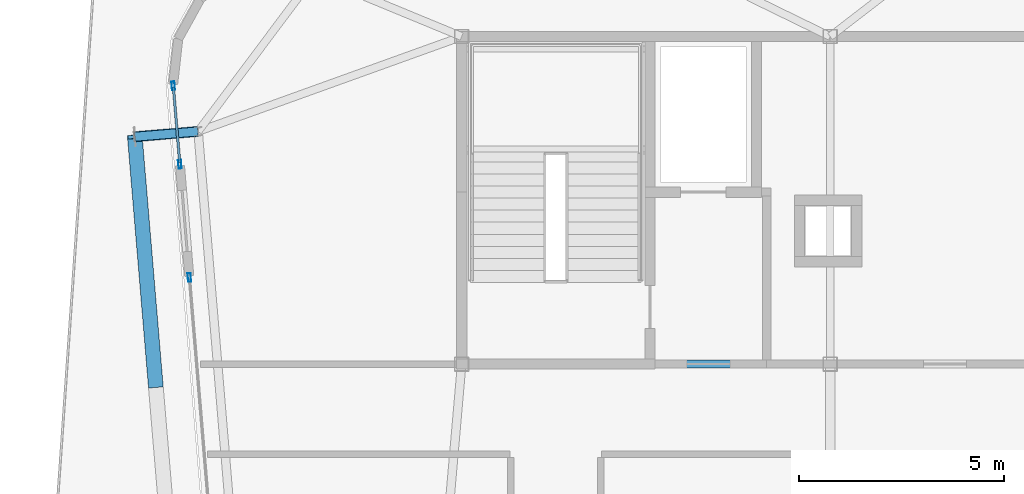
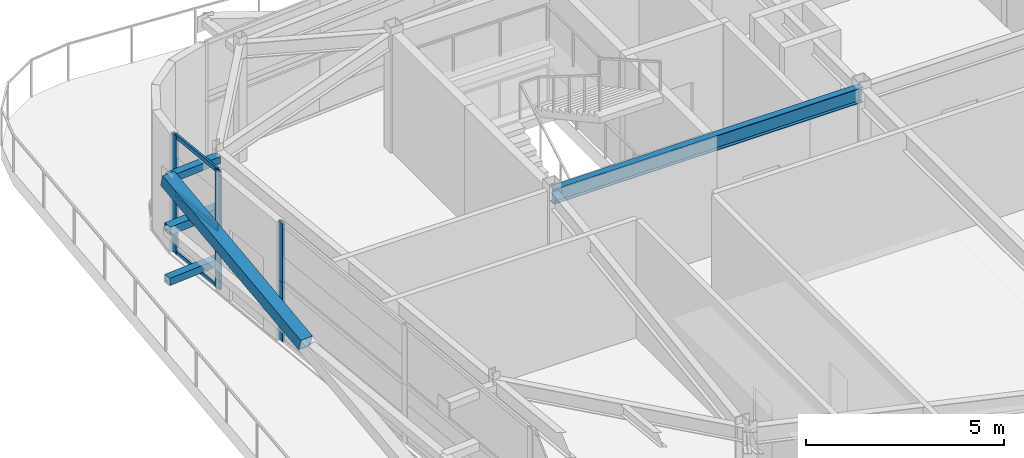
# One storey, part 12 of 38: 14 members, 1 beam, 4 elements without a shape of their own.
"""IFC4 building model written with IfcOpenShell, lengths in metres."""

from ifc_helpers import new_model, si_unit, direction, frame, origin, origin_2d, place, context, subcontext, project, spatial, hollow_rectangle, i_section, extrude, source, transform, mapped, material, layer, layer_set, material_profile, profile_set, type_object, element, aggregate, save


model = new_model("IFC4")

# Units and contexts
model_context = context("Model", 3, precision=1e-05, world=origin(), true_north=direction((0.0, 1.0)))
body_context = subcontext(model_context, "Body", "Model", "MODEL_VIEW")
ifc_project = project(units=[si_unit("LENGTHUNIT", "METRE"), si_unit("AREAUNIT", "SQUARE_METRE"), si_unit("VOLUMEUNIT", "CUBIC_METRE"), si_unit("PLANEANGLEUNIT", "RADIAN"), si_unit("MASSUNIT", "GRAM", prefix="KILO")], contexts=[model_context])

# Site, building, storey
site_placement = place(None, origin())
site = spatial("IfcSite", under=ifc_project, at=site_placement, CompositionType="ELEMENT")
building_placement = place(site_placement, origin())
building = spatial("IfcBuilding", under=site, at=building_placement, Name="Taldren Reach Tower", CompositionType="ELEMENT")
storey_placement = place(building_placement, frame((0.0, 0.0, 168.699951171875)))
storey = spatial("IfcBuildingStorey", under=building, at=storey_placement, Name="L51", CompositionType="ELEMENT", Elevation=168.699951171875)

# Beam
ifc_material_1 = material(Name="Steel Gr 350 (350PLUS)", Category="steel")
ifc_material_profile_1 = material_profile(ifc_material_1, i_section(OverallWidth=0.19091796875, OverallDepth=0.4599609375, WebThickness=0.010009765625, FlangeThickness=0.01611328125, at=origin_2d()), Name="460UB82.1")
ifc_profile_set_1 = profile_set([ifc_material_profile_1], Name="Steel Gr 350 (350PLUS)")
beam_type = type_object("IfcBeamType", Name="BM-UB460A", PredefinedType="BEAM", material=ifc_profile_set_1)
shared_shape_1 = source(origin(), body_context, "Body", "SweptSolid", [
    extrude(i_section(OverallWidth=0.19091796875, OverallDepth=0.4599609375, WebThickness=0.010009765625, FlangeThickness=0.01611328125, at=origin_2d()), origin(), (0.0, 0.0, 1.0), 9.0),
])
beam_placement = place(storey_placement, frame((19.0, 24.0, 3.400146484375), z_axis=(1.0, 0.0, 0.0), x_axis=(0.0, 1.0, 0.0)))
element("IfcBeam", 1, at=beam_placement, inside=storey, type_object=beam_type, Name="Core-spine girder L51-SP01", PredefinedType="BEAM", context=body_context, shape_type="MappedRepresentation", body=[
    mapped(shared_shape_1, transform((0.0, 0.0, 0.0), scale=1.0)),
])

# Members
ifc_material_2 = material(Name="Steel Gr 450 (C450L0)", Category="steel")
ifc_material_profile_2 = material_profile(ifc_material_2, hollow_rectangle(XDim=0.219970703125, YDim=0.219970703125, WallThickness=0.00830078125, at=origin_2d()), Name="220x220x8.2SHS")
ifc_profile_set_2 = profile_set([ifc_material_profile_2], Name="Steel Gr 450 (C450L0)")
member_type_1 = type_object("IfcMemberType", Name="MB-TIE219", PredefinedType="STRUT", material=ifc_profile_set_2)
shared_shape_2 = source(origin(), body_context, "Body", "SweptSolid", [
    extrude(hollow_rectangle(XDim=0.219970703125, YDim=0.219970703125, WallThickness=0.00830078125, at=origin_2d()), origin(), (0.0, 0.0, 1.0), 1.54541015625),
])
for number, where, z_axis, x_axis, name in (
    (2, (12.557373046875, 29.68212890625, 3.35009765625), (-0.99648887425, -0.083725285883, 0.0), (0.083725285883, -0.99648887425, 0.0), "Exoskeleton diaphragm tie strut B4-W3 L51"),
    (3, (12.557373046875, 29.68212890625, 0.219970703125), (-0.99648887425, -0.083725285883, 0.0), (0.083725285883, -0.99648887425, 0.0), "Exoskeleton base diaphragm tie strut B4-W3 L51"),
):
    element("IfcMember", number, at=place(storey_placement, frame(where, z_axis=z_axis, x_axis=x_axis)), inside=storey, type_object=member_type_1, Name=name, PredefinedType="STRUT", context=body_context, shape_type="MappedRepresentation", body=[
        mapped(shared_shape_2, transform((0.0, 0.0, 0.0), scale=1.0)),
    ])
ifc_material_profile_3 = material_profile(ifc_material_2, hollow_rectangle(XDim=0.360107421875, YDim=0.360107421875, WallThickness=0.0126953125, at=origin_2d()), Name="360x360x12.7SHS")
ifc_profile_set_3 = profile_set([ifc_material_profile_3], Name="Steel Gr 450 (C450L0)")
member_type_2 = type_object("IfcMemberType", Name="MB-EXO356", PredefinedType="BRACE", material=ifc_profile_set_3)
shared_shape_3 = source(origin(), body_context, "Body", "SweptSolid", [
    extrude(hollow_rectangle(XDim=0.360107421875, YDim=0.360107421875, WallThickness=0.0126953125, at=origin_2d()), origin(), (0.0, 0.0, 1.0), 6.297607421875),
])
member_1_placement = place(storey_placement, frame((11.52783203125, 23.47412109375, 1.78515625), z_axis=(-0.081062906043, 0.965233971624, 0.248499869793), x_axis=(-0.996492003099, -0.083688038336, 0.0)))
element("IfcMember", 4, at=member_1_placement, inside=storey, type_object=member_type_2, Name="Exoskeleton Diagrid Brace B4-W2 L51", PredefinedType="BRACE", context=body_context, shape_type="MappedRepresentation", body=[
    mapped(shared_shape_3, transform((0.0, 0.0, 0.0), scale=1.0)),
])
ifc_material_3 = material(Name="Steel Gr 350 (C350L0)", Category="steel")
ifc_material_profile_4 = material_profile(ifc_material_3, hollow_rectangle(XDim=0.25, YDim=0.25, WallThickness=0.010009765625, at=origin_2d()), Name="250x250x10.0SHS")
ifc_profile_set_4 = profile_set([ifc_material_profile_4], Name="Steel Gr 350 (C350L0)")
member_type_3 = type_object("IfcMemberType", Name="MB-POST250", PredefinedType="POST", material=ifc_profile_set_4)
shared_shape_4 = source(origin(), body_context, "Body", "SweptSolid", [
    extrude(hollow_rectangle(XDim=0.25, YDim=0.25, WallThickness=0.010009765625, at=origin_2d()), origin(), (0.0, 0.0, 1.0), 1.54541015625),
])
member_2_placement = place(storey_placement, frame((12.557373046875, 29.68212890625, 1.78515625), z_axis=(-0.99648887425, -0.083725285883, 0.0), x_axis=(0.083725285883, -0.99648887425, 0.0)))
element("IfcMember", 5, at=member_2_placement, inside=storey, type_object=member_type_3, Name="Exoskeleton mid-tier diaphragm tie B4-W3 L51", PredefinedType="POST", context=body_context, shape_type="MappedRepresentation", body=[
    mapped(shared_shape_4, transform((0.0, 0.0, 0.0), scale=1.0)),
])

# Curtain wall, members
ifc_material_4 = material(Name="Aluminium and Low-E Glass Unitised System", Category="aluminium")
ifc_layer = layer(ifc_material_4, 0.159912109375)
ifc_layer_set = layer_set([ifc_layer], Name="Aluminium and Low-E Glass Unitised System")
curtain_wall_type = type_object("IfcCurtainWallType", Name="CW-SYS-7", PredefinedType="NOTDEFINED", material=ifc_layer_set)
curtain_wall_1_placement = place(storey_placement, origin())
curtain_wall_1 = element("IfcCurtainWall", 6, at=curtain_wall_1_placement, inside=storey, type_object=curtain_wall_type, Name="Unitised curtain wall CW-L51-W1", PredefinedType="NOTDEFINED")
ifc_material_5 = material(Name="Anodised Aluminium 6063-T6", Category="aluminium")
ifc_material_profile_5 = material_profile(ifc_material_5, hollow_rectangle(XDim=0.074951171875, YDim=0.2099609375, WallThickness=0.00439453125, at=origin_2d()), Name="ALU-210x75x4.5RHS")
ifc_profile_set_5 = profile_set([ifc_material_profile_5], Name="Anodised Aluminium 6063-T6")
member_type_4 = type_object("IfcMemberType", Name="CW-MUL-200", PredefinedType="MULLION", material=ifc_profile_set_5)
shared_shape_5 = source(origin(), body_context, "Body", "SweptSolid", [
    extrude(hollow_rectangle(XDim=0.074951171875, YDim=0.2099609375, WallThickness=0.00439453125, at=origin_2d()), origin(), (0.0, 0.0, 1.0), 1.81494140625),
])
member_3_placement = place(storey_placement, frame((11.956298828125, 30.798095703125, 0.0), z_axis=(0.0, 0.0, 1.0), x_axis=(0.996492659394, 0.083680223317, 0.0)))
member_3 = element("IfcMember", 7, at=member_3_placement, type_object=member_type_4, Name="CW-7 mullion 1", PredefinedType="MULLION", context=body_context, shape_type="MappedRepresentation", body=[
    mapped(shared_shape_5, transform((0.0, 0.0, 0.0), scale=1.0)),
])
member_4_placement = place(storey_placement, frame((12.117431640625, 28.8798828125, 0.0), z_axis=(0.0, 0.0, 1.0), x_axis=(0.996492659394, 0.083680223317, 0.0)))
member_4 = element("IfcMember", 8, at=member_4_placement, type_object=member_type_4, Name="CW-7 mullion 2", PredefinedType="MULLION", context=body_context, shape_type="MappedRepresentation", body=[
    mapped(shared_shape_5, transform((0.0, 0.0, 0.0), scale=1.0)),
])

# Curtain wall, member
curtain_wall_2_placement = place(storey_placement, origin())
curtain_wall_2 = element("IfcCurtainWall", 9, at=curtain_wall_2_placement, inside=storey, type_object=curtain_wall_type, Name="Unitised curtain wall CW-L51-W2", PredefinedType="NOTDEFINED")
member_5_placement = place(storey_placement, frame((12.349609375, 26.11474609375, 0.0), z_axis=(0.0, 0.0, 1.0), x_axis=(0.996492859829, 0.083677836428, 0.0)))
member_5 = element("IfcMember", 10, at=member_5_placement, type_object=member_type_4, Name="CW-7 mullion 1", PredefinedType="MULLION", context=body_context, shape_type="MappedRepresentation", body=[
    mapped(shared_shape_5, transform((0.0, 0.0, 0.0), scale=1.0)),
])
aggregate(curtain_wall_2, [member_5])

# Curtain wall, members
curtain_wall_3_placement = place(storey_placement, origin())
curtain_wall_3 = element("IfcCurtainWall", 11, at=curtain_wall_3_placement, inside=storey, type_object=curtain_wall_type, Name="Unitised curtain wall CW-L51-W1-T2", PredefinedType="NOTDEFINED")
shared_shape_6 = source(origin(), body_context, "Body", "SweptSolid", [
    extrude(hollow_rectangle(XDim=0.074951171875, YDim=0.2099609375, WallThickness=0.00439453125, at=origin_2d()), origin(), (0.0, 0.0, 1.0), 1.815185546875),
])
member_6_placement = place(storey_placement, frame((11.956298828125, 30.798095703125, 1.81494140625), z_axis=(0.0, 0.0, 1.0), x_axis=(0.996492659394, 0.083680223317, 0.0)))
member_6 = element("IfcMember", 12, at=member_6_placement, type_object=member_type_4, Name="CW-7 mullion 1", PredefinedType="MULLION", context=body_context, shape_type="MappedRepresentation", body=[
    mapped(shared_shape_6, transform((0.0, 0.0, 0.0), scale=1.0)),
])
member_7_placement = place(storey_placement, frame((12.117431640625, 28.8798828125, 1.81494140625), z_axis=(0.0, 0.0, 1.0), x_axis=(0.996492659394, 0.083680223317, 0.0)))
member_7 = element("IfcMember", 13, at=member_7_placement, type_object=member_type_4, Name="CW-7 mullion 2", PredefinedType="MULLION", context=body_context, shape_type="MappedRepresentation", body=[
    mapped(shared_shape_6, transform((0.0, 0.0, 0.0), scale=1.0)),
])

# Curtain wall, member
curtain_wall_4_placement = place(storey_placement, origin())
curtain_wall_4 = element("IfcCurtainWall", 14, at=curtain_wall_4_placement, inside=storey, type_object=curtain_wall_type, Name="Unitised curtain wall CW-L51-W2-T2", PredefinedType="NOTDEFINED")
member_8_placement = place(storey_placement, frame((12.349609375, 26.11474609375, 1.81494140625), z_axis=(0.0, 0.0, 1.0), x_axis=(0.996492859829, 0.083677836428, 0.0)))
member_8 = element("IfcMember", 15, at=member_8_placement, type_object=member_type_4, Name="CW-7 mullion 1", PredefinedType="MULLION", context=body_context, shape_type="MappedRepresentation", body=[
    mapped(shared_shape_6, transform((0.0, 0.0, 0.0), scale=1.0)),
])
aggregate(curtain_wall_4, [member_8])

# Member
ifc_material_profile_6 = material_profile(ifc_material_5, hollow_rectangle(XDim=0.06005859375, YDim=0.135009765625, WallThickness=0.00341796875, at=origin_2d()), Name="ALU-135x60x3.5RHS")
ifc_profile_set_6 = profile_set([ifc_material_profile_6], Name="Anodised Aluminium 6063-T6")
member_type_5 = type_object("IfcMemberType", Name="CW-TRN-150", PredefinedType="USERDEFINED", material=ifc_profile_set_6)
shared_shape_7 = source(origin(), body_context, "Body", "SweptSolid", [
    extrude(hollow_rectangle(XDim=0.06005859375, YDim=0.135009765625, WallThickness=0.00341796875, at=origin_2d()), origin(), (0.0, 0.0, 1.0), 1.85009765625),
])
member_9_placement = place(storey_placement, frame((11.95947265625, 30.7607421875, 0.030029296875), z_axis=(0.083667990634, -0.996493686555, 0.0), x_axis=(0.996493686555, 0.083667990634, 0.0)))
member_9 = element("IfcMember", 16, at=member_9_placement, type_object=member_type_5, Name="CW-7 transom 1.1", ObjectType="TRANSOM", PredefinedType="USERDEFINED", context=body_context, shape_type="MappedRepresentation", body=[
    mapped(shared_shape_7, transform((0.0, 0.0, 0.0), scale=1.0)),
])

member_10_placement = place(storey_placement, frame((11.95947265625, 30.7607421875, 1.78515625), z_axis=(0.083667990634, -0.996493686555, 0.0), x_axis=(0.996493686555, 0.083667990634, 0.0)))
member_10 = element("IfcMember", 17, at=member_10_placement, type_object=member_type_5, Name="CW-7 transom 1.2", ObjectType="TRANSOM", PredefinedType="USERDEFINED", context=body_context, shape_type="MappedRepresentation", body=[
    mapped(shared_shape_7, transform((0.0, 0.0, 0.0), scale=1.0)),
])

aggregate(curtain_wall_1, [member_3, member_4, member_9, member_10])

member_11_placement = place(storey_placement, frame((11.95947265625, 30.7607421875, 1.844970703125), z_axis=(0.083667990634, -0.996493686555, 0.0), x_axis=(0.996493686555, 0.083667990634, 0.0)))
member_11 = element("IfcMember", 18, at=member_11_placement, type_object=member_type_5, Name="CW-7 transom 1.1", ObjectType="TRANSOM", PredefinedType="USERDEFINED", context=body_context, shape_type="MappedRepresentation", body=[
    mapped(shared_shape_7, transform((0.0, 0.0, 0.0), scale=1.0)),
])

member_12_placement = place(storey_placement, frame((11.95947265625, 30.7607421875, 3.60009765625), z_axis=(0.083667990634, -0.996493686555, 0.0), x_axis=(0.996493686555, 0.083667990634, 0.0)))
member_12 = element("IfcMember", 19, at=member_12_placement, type_object=member_type_5, Name="CW-7 transom 1.2", ObjectType="TRANSOM", PredefinedType="USERDEFINED", context=body_context, shape_type="MappedRepresentation", body=[
    mapped(shared_shape_7, transform((0.0, 0.0, 0.0), scale=1.0)),
])

aggregate(curtain_wall_3, [member_6, member_7, member_11, member_12])

save(model, "model.ifc")
